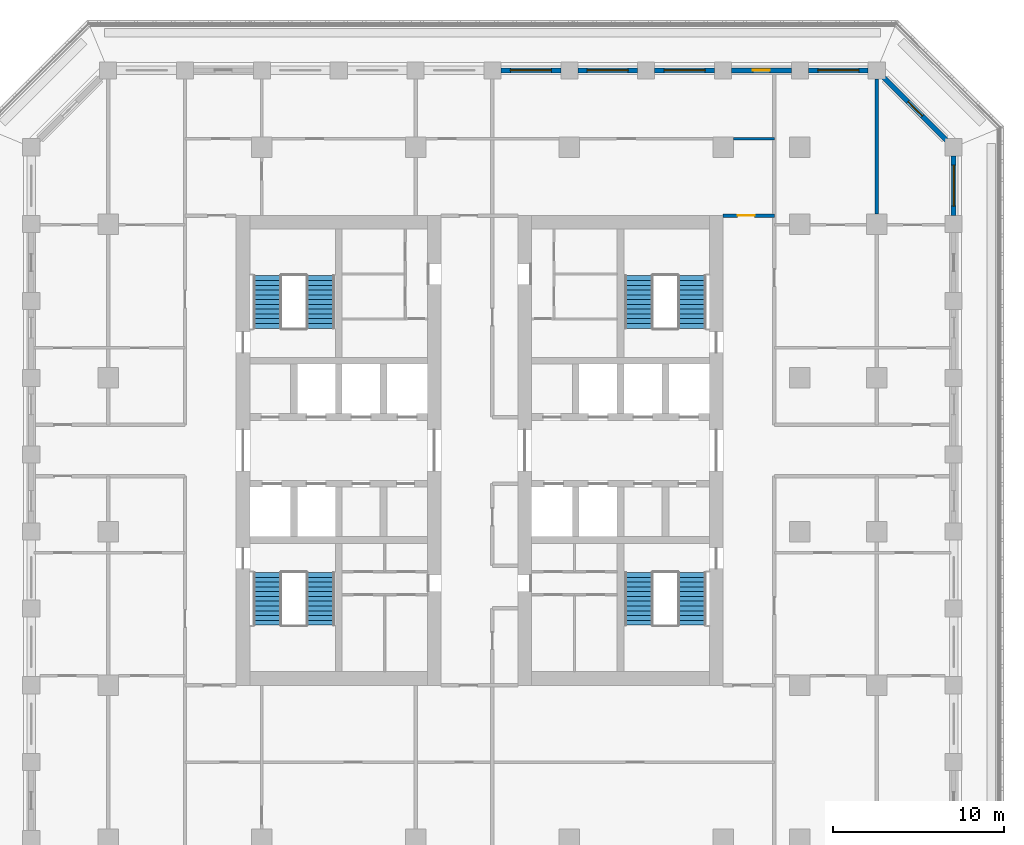
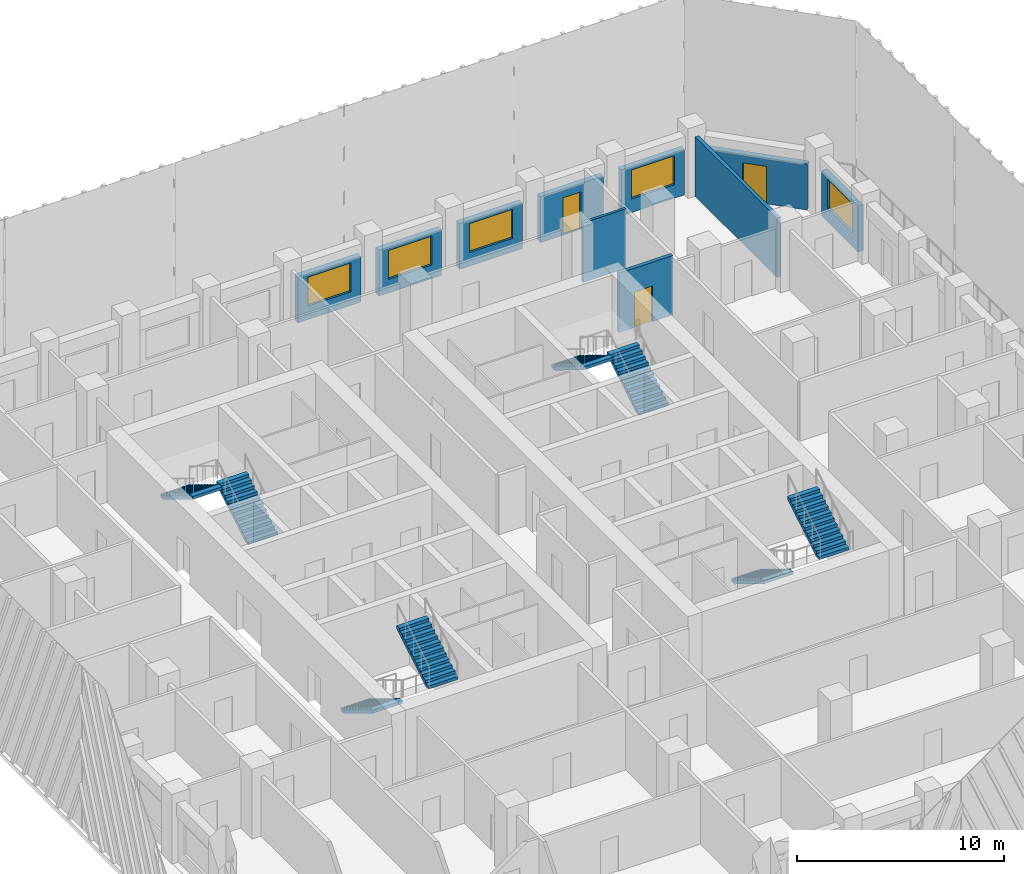
# One storey, part 9 of 17: 10 walls, 8 stair flights, 5 windows, 3 doors, 8 openings, 4 elements without a shape of their own.
"""IFC4 building model written with IfcOpenShell, lengths in metres."""

from ifc_helpers import new_model, si_unit, direction, frame, frame_2d, origin, place, context, subcontext, project, spatial, polyline, rectangle, outline, extrude, material, layer, layer_set, type_object, element, fill, aggregate, save


model = new_model("IFC4")

# Units and contexts
model_context = context("Model", 3, precision=1e-05, world=origin(), true_north=direction((0.0, 1.0)))
body_context = subcontext(model_context, "Body", "Model", "MODEL_VIEW")
ifc_project = project(units=[si_unit("LENGTHUNIT", "METRE"), si_unit("AREAUNIT", "SQUARE_METRE"), si_unit("VOLUMEUNIT", "CUBIC_METRE"), si_unit("PLANEANGLEUNIT", "RADIAN"), si_unit("MASSUNIT", "GRAM", prefix="KILO")], contexts=[model_context])

# Site, building, storey
site_placement = place(None, origin())
site = spatial("IfcSite", under=ifc_project, at=site_placement, CompositionType="ELEMENT")
building_placement = place(site_placement, origin())
building = spatial("IfcBuilding", under=site, at=building_placement, Name="Corbel Stack Research Tower", CompositionType="ELEMENT")
storey_placement = place(building_placement, frame((0.0, 0.0, 216.10009765625)))
storey = spatial("IfcBuildingStorey", under=building, at=storey_placement, Name="L49", CompositionType="ELEMENT", Elevation=216.10009765625)

# Wall
ifc_material_1 = material(Name="Fire-rated gypsum board partition on steel studs", Category="steel")
ifc_layer_1 = layer(ifc_material_1, 0.199951171875)
ifc_layer_set_1 = layer_set([ifc_layer_1], Name="Fire-rated gypsum board partition on steel studs")
wall_type_1 = type_object("IfcWallType", Name="Fire-rated partition 200 EI 60", PredefinedType="PARTITIONING", material=ifc_layer_set_1)
wall_1_placement = place(storey_placement, frame((27.0, 18.60009765625, 0.0), z_axis=(0.0, 0.0, 1.0), x_axis=(0.0, 1.0, 0.0)))
element("IfcWall", 1, at=wall_1_placement, inside=storey, type_object=wall_type_1, Name="Partition L49-029", PredefinedType="PARTITIONING", context=body_context, shape_type="SweptSolid", body=[
    extrude(rectangle(XDim=7.89990234375, YDim=0.199951171875, at=frame_2d((3.949951171875, 0.0))), origin(), (0.0, 0.0, 1.0), 3.5),
])

# Wall, opening, door
wall_2_placement = place(storey_placement, frame((18.0, 18.5, 0.0), z_axis=(0.0, 0.0, 1.0), x_axis=(1.0, 0.0, 0.0)))
wall_2 = element("IfcWall", 2, at=wall_2_placement, inside=storey, type_object=wall_type_1, Name="Partition L49-059", PredefinedType="PARTITIONING", context=body_context, shape_type="SweptSolid", body=[
    extrude(rectangle(XDim=3.0, YDim=0.199951171875, at=frame_2d((1.5, 0.0))), origin(), (0.0, 0.0, 1.0), 3.5),
])
opening_1_placement = place(wall_2_placement, frame((0.85009765625, 0.0, 0.0)))
opening_1 = element("IfcOpeningElement", 3, at=opening_1_placement, cuts=wall_2, Name="Opening B6V2-041", PredefinedType="OPENING", context=body_context, shape_type="SweptSolid", body=[
    extrude(rectangle(XDim=1.0, YDim=2.10009765625, at=frame_2d((0.5, 1.050048828125))), frame((0.0, 0.10986328125, 0.0), z_axis=(0.0, -1.0, 0.0), x_axis=(1.0, 0.0, 0.0)), (0.0, 0.0, 1.0), 0.219970703125),
])
ifc_material_2 = material(Name="Painted steel fire door", Category="steel")
door_type_1 = type_object("IfcDoorType", Name="Fire door FD30S 1000 x 2100", OperationType="NOTDEFINED", PredefinedType="DOOR", material=ifc_material_2)
door_1_placement = place(opening_1_placement, origin())
door_1 = element("IfcDoor", 4, at=door_1_placement, inside=storey, type_object=door_type_1, Name="Door B6V2-041", OperationType="SINGLE_SWING_LEFT", OverallHeight=2.10009765625, OverallWidth=1.0, PredefinedType="DOOR", context=body_context, shape_type="SweptSolid", body=[
    extrude(rectangle(XDim=1.0, YDim=2.10009765625, at=frame_2d((0.5, 1.050048828125))), frame((0.0, 0.02490234375, 0.0), z_axis=(0.0, -1.0, 0.0), x_axis=(1.0, 0.0, 0.0)), (0.0, 0.0, 1.0), 0.050048828125),
])
fill(opening_1, door_1)

# Wall
ifc_material_3 = material(Name="Gypsum board partition on steel studs", Category="steel")
ifc_layer_2 = layer(ifc_material_3, 0.14990234375)
ifc_layer_set_2 = layer_set([ifc_layer_2], Name="Gypsum board partition on steel studs")
wall_type_2 = type_object("IfcWallType", Name="Partition 150", PredefinedType="PARTITIONING", material=ifc_layer_set_2)
wall_3_placement = place(storey_placement, frame((18.60009765625, 23.0, 0.0), z_axis=(0.0, 0.0, 1.0), x_axis=(1.0, 0.0, 0.0)))
element("IfcWall", 5, at=wall_3_placement, inside=storey, type_object=wall_type_2, Name="Partition L49-064", PredefinedType="PARTITIONING", context=body_context, shape_type="SweptSolid", body=[
    extrude(rectangle(XDim=2.39990234375, YDim=0.14990234375, at=frame_2d((1.199951171875, 0.0))), origin(), (0.0, 0.0, 1.0), 3.5),
])

# Wall, opening, window
ifc_material_4 = material(Name="Concrete C45/55", Category="concrete")
ifc_layer_3 = layer(ifc_material_4, 0.300048828125)
ifc_layer_set_3 = layer_set([ifc_layer_3], Name="Concrete C45/55")
wall_type_3 = type_object("IfcWallType", Name="Terracotta-faced concrete wall 300", PredefinedType="SOLIDWALL", material=ifc_layer_set_3)
wall_4_placement = place(storey_placement, frame((31.5, 22.0, 0.0), z_axis=(0.0, 0.0, 1.0), x_axis=(0.0, -1.0, 0.0)))
wall_4 = element("IfcWall", 6, at=wall_4_placement, inside=storey, type_object=wall_type_3, Name="Facade wall L49 E10", PredefinedType="SOLIDWALL", context=body_context, shape_type="SweptSolid", body=[
    extrude(rectangle(XDim=3.5, YDim=0.300048828125, at=frame_2d((1.75, 0.0))), origin(), (0.0, 0.0, 1.0), 2.699951171875),
])
opening_2_placement = place(wall_4_placement, frame((0.550048828125, 0.0, 0.800048828125)))
opening_2 = element("IfcOpeningElement", 7, at=opening_2_placement, cuts=wall_4, Name="Opening W1", PredefinedType="OPENING", context=body_context, shape_type="SweptSolid", body=[
    extrude(rectangle(XDim=2.39990234375, YDim=1.699951171875, at=frame_2d((1.199951171875, 0.85009765625))), frame((0.0, 0.159912109375, 0.0), z_axis=(0.0, -1.0, 0.0), x_axis=(1.0, 0.0, 0.0)), (0.0, 0.0, 1.0), 0.320068359375),
])
ifc_material_5 = material(Name="Aluminium frame, clear double glazing", Category="aluminium")
window_type = type_object("IfcWindowType", Name="Window W1 2400 x 1700", PartitioningType="SINGLE_PANEL", PredefinedType="WINDOW", material=ifc_material_5)
window_1_placement = place(opening_2_placement, origin())
window_1 = element("IfcWindow", 8, at=window_1_placement, inside=storey, type_object=window_type, Name="Window W1 L49 E10", OverallHeight=1.699951171875, OverallWidth=2.39990234375, PartitioningType="SINGLE_PANEL", PredefinedType="WINDOW", context=body_context, shape_type="SweptSolid", body=[
    extrude(rectangle(XDim=2.39990234375, YDim=1.699951171875, at=frame_2d((1.199951171875, 0.85009765625))), frame((0.0, 0.030029296875, 0.0), z_axis=(0.0, -1.0, 0.0), x_axis=(1.0, 0.0, 0.0)), (0.0, 0.0, 1.0), 0.06005859375),
])
fill(opening_2, window_1)

# Wall, opening, door
wall_5_placement = place(storey_placement, frame((27.393798828125, 26.606201171875, 0.0), z_axis=(0.0, 0.0, 1.0), x_axis=(0.707106781187, -0.707106781187, 0.0)))
wall_5 = element("IfcWall", 9, at=wall_5_placement, inside=storey, type_object=wall_type_3, Name="Facade wall L49 NE01", PredefinedType="SOLIDWALL", context=body_context, shape_type="SweptSolid", body=[
    extrude(rectangle(XDim=5.250244140625, YDim=0.300048828125, at=frame_2d((2.625, 0.0))), origin(), (0.0, 0.0, 1.0), 2.699951171875),
])
opening_3_placement = place(wall_5_placement, frame((2.02490234375, 0.0, 0.0)))
opening_3 = element("IfcOpeningElement", 10, at=opening_3_placement, cuts=wall_5, Name="Opening L49-B06", PredefinedType="OPENING", context=body_context, shape_type="SweptSolid", body=[
    extrude(rectangle(XDim=1.199951171875, YDim=2.199951171875, at=frame_2d((0.60009765625, 1.10009765625))), frame((0.0, 0.159912109375, 0.0), z_axis=(0.0, -1.0, 0.0), x_axis=(1.0, 0.0, 0.0)), (0.0, 0.0, 1.0), 0.320068359375),
])
ifc_material_6 = material(Name="Aluminium frame, clear double glazing", Category="aluminium")
door_type_2 = type_object("IfcDoorType", Name="Balcony door BD2 1200 x 2200", OperationType="NOTDEFINED", PredefinedType="DOOR", material=ifc_material_6)
door_2_placement = place(opening_3_placement, origin())
door_2 = element("IfcDoor", 11, at=door_2_placement, inside=storey, type_object=door_type_2, Name="Balcony door L49-B06", OperationType="SINGLE_SWING_RIGHT", OverallHeight=2.199951171875, OverallWidth=1.199951171875, PredefinedType="DOOR", context=body_context, shape_type="SweptSolid", body=[
    extrude(rectangle(XDim=1.199951171875, YDim=2.199951171875, at=frame_2d((0.60009765625, 1.10009765625))), frame((0.0, 0.02490234375, 0.0), z_axis=(0.0, -1.0, 0.0), x_axis=(1.0, 0.0, 0.0)), (0.0, 0.0, 1.0), 0.050048828125),
])
fill(opening_3, door_2)

# Wall, opening, window
wall_6_placement = place(storey_placement, frame((23.0, 27.0, 0.0), z_axis=(0.0, 0.0, 1.0), x_axis=(1.0, 0.0, 0.0)))
wall_6 = element("IfcWall", 12, at=wall_6_placement, inside=storey, type_object=wall_type_3, Name="Facade wall L49 N01", PredefinedType="SOLIDWALL", context=body_context, shape_type="SweptSolid", body=[
    extrude(rectangle(XDim=3.5, YDim=0.300048828125, at=frame_2d((1.75, 0.0))), origin(), (0.0, 0.0, 1.0), 2.699951171875),
])
opening_4_placement = place(wall_6_placement, frame((0.550048828125, 0.0, 0.800048828125)))
opening_4 = element("IfcOpeningElement", 13, at=opening_4_placement, cuts=wall_6, Name="Opening W1", PredefinedType="OPENING", context=body_context, shape_type="SweptSolid", body=[
    extrude(rectangle(XDim=2.39990234375, YDim=1.699951171875, at=frame_2d((1.199951171875, 0.85009765625))), frame((0.0, 0.159912109375, 0.0), z_axis=(0.0, -1.0, 0.0), x_axis=(1.0, 0.0, 0.0)), (0.0, 0.0, 1.0), 0.320068359375),
])
window_2_placement = place(opening_4_placement, origin())
window_2 = element("IfcWindow", 14, at=window_2_placement, inside=storey, type_object=window_type, Name="Window W1 L49 N01", OverallHeight=1.699951171875, OverallWidth=2.39990234375, PartitioningType="SINGLE_PANEL", PredefinedType="WINDOW", context=body_context, shape_type="SweptSolid", body=[
    extrude(rectangle(XDim=2.39990234375, YDim=1.699951171875, at=frame_2d((1.199951171875, 0.85009765625))), frame((0.0, 0.030029296875, 0.0), z_axis=(0.0, -1.0, 0.0), x_axis=(1.0, 0.0, 0.0)), (0.0, 0.0, 1.0), 0.06005859375),
])
fill(opening_4, window_2)

# Wall, opening, door
wall_7_placement = place(storey_placement, frame((18.5, 27.0, 0.0), z_axis=(0.0, 0.0, 1.0), x_axis=(1.0, 0.0, 0.0)))
wall_7 = element("IfcWall", 15, at=wall_7_placement, inside=storey, type_object=wall_type_3, Name="Facade wall L49 N02", PredefinedType="SOLIDWALL", context=body_context, shape_type="SweptSolid", body=[
    extrude(rectangle(XDim=3.5, YDim=0.300048828125, at=frame_2d((1.75, 0.0))), origin(), (0.0, 0.0, 1.0), 2.699951171875),
])
opening_5_placement = place(wall_7_placement, frame((1.25, 0.0, 0.0)))
opening_5 = element("IfcOpeningElement", 16, at=opening_5_placement, cuts=wall_7, Name="Opening L49-B07", PredefinedType="OPENING", context=body_context, shape_type="SweptSolid", body=[
    extrude(rectangle(XDim=1.0, YDim=2.199951171875, at=frame_2d((0.5, 1.10009765625))), frame((0.0, 0.159912109375, 0.0), z_axis=(0.0, -1.0, 0.0), x_axis=(1.0, 0.0, 0.0)), (0.0, 0.0, 1.0), 0.320068359375),
])
ifc_material_7 = material(Name="Aluminium frame, clear double glazing", Category="aluminium")
door_type_3 = type_object("IfcDoorType", Name="Balcony door BD1 1000 x 2200", OperationType="NOTDEFINED", PredefinedType="DOOR", material=ifc_material_7)
door_3_placement = place(opening_5_placement, origin())
door_3 = element("IfcDoor", 17, at=door_3_placement, inside=storey, type_object=door_type_3, Name="Balcony door L49-B07", OperationType="SINGLE_SWING_LEFT", OverallHeight=2.199951171875, OverallWidth=1.0, PredefinedType="DOOR", context=body_context, shape_type="SweptSolid", body=[
    extrude(rectangle(XDim=1.0, YDim=2.199951171875, at=frame_2d((0.5, 1.10009765625))), frame((0.0, 0.02490234375, 0.0), z_axis=(0.0, -1.0, 0.0), x_axis=(1.0, 0.0, 0.0)), (0.0, 0.0, 1.0), 0.050048828125),
])
fill(opening_5, door_3)

# Wall, opening, window
wall_8_placement = place(storey_placement, frame((14.0, 27.0, 0.0), z_axis=(0.0, 0.0, 1.0), x_axis=(1.0, 0.0, 0.0)))
wall_8 = element("IfcWall", 18, at=wall_8_placement, inside=storey, type_object=wall_type_3, Name="Facade wall L49 N03", PredefinedType="SOLIDWALL", context=body_context, shape_type="SweptSolid", body=[
    extrude(rectangle(XDim=3.5, YDim=0.300048828125, at=frame_2d((1.75, 0.0))), origin(), (0.0, 0.0, 1.0), 2.699951171875),
])
opening_6_placement = place(wall_8_placement, frame((0.550048828125, 0.0, 0.800048828125)))
opening_6 = element("IfcOpeningElement", 19, at=opening_6_placement, cuts=wall_8, Name="Opening W1", PredefinedType="OPENING", context=body_context, shape_type="SweptSolid", body=[
    extrude(rectangle(XDim=2.39990234375, YDim=1.699951171875, at=frame_2d((1.199951171875, 0.85009765625))), frame((0.0, 0.159912109375, 0.0), z_axis=(0.0, -1.0, 0.0), x_axis=(1.0, 0.0, 0.0)), (0.0, 0.0, 1.0), 0.320068359375),
])
window_3_placement = place(opening_6_placement, origin())
window_3 = element("IfcWindow", 20, at=window_3_placement, inside=storey, type_object=window_type, Name="Window W1 L49 N03", OverallHeight=1.699951171875, OverallWidth=2.39990234375, PartitioningType="SINGLE_PANEL", PredefinedType="WINDOW", context=body_context, shape_type="SweptSolid", body=[
    extrude(rectangle(XDim=2.39990234375, YDim=1.699951171875, at=frame_2d((1.199951171875, 0.85009765625))), frame((0.0, 0.030029296875, 0.0), z_axis=(0.0, -1.0, 0.0), x_axis=(1.0, 0.0, 0.0)), (0.0, 0.0, 1.0), 0.06005859375),
])
fill(opening_6, window_3)

wall_9_placement = place(storey_placement, frame((9.5, 27.0, 0.0), z_axis=(0.0, 0.0, 1.0), x_axis=(1.0, 0.0, 0.0)))
wall_9 = element("IfcWall", 21, at=wall_9_placement, inside=storey, type_object=wall_type_3, Name="Facade wall L49 N04", PredefinedType="SOLIDWALL", context=body_context, shape_type="SweptSolid", body=[
    extrude(rectangle(XDim=3.5, YDim=0.300048828125, at=frame_2d((1.75, 0.0))), origin(), (0.0, 0.0, 1.0), 2.699951171875),
])
opening_7_placement = place(wall_9_placement, frame((0.550048828125, 0.0, 0.800048828125)))
opening_7 = element("IfcOpeningElement", 22, at=opening_7_placement, cuts=wall_9, Name="Opening W1", PredefinedType="OPENING", context=body_context, shape_type="SweptSolid", body=[
    extrude(rectangle(XDim=2.39990234375, YDim=1.699951171875, at=frame_2d((1.199951171875, 0.85009765625))), frame((0.0, 0.159912109375, 0.0), z_axis=(0.0, -1.0, 0.0), x_axis=(1.0, 0.0, 0.0)), (0.0, 0.0, 1.0), 0.320068359375),
])
window_4_placement = place(opening_7_placement, origin())
window_4 = element("IfcWindow", 23, at=window_4_placement, inside=storey, type_object=window_type, Name="Window W1 L49 N04", OverallHeight=1.699951171875, OverallWidth=2.39990234375, PartitioningType="SINGLE_PANEL", PredefinedType="WINDOW", context=body_context, shape_type="SweptSolid", body=[
    extrude(rectangle(XDim=2.39990234375, YDim=1.699951171875, at=frame_2d((1.199951171875, 0.85009765625))), frame((0.0, 0.030029296875, 0.0), z_axis=(0.0, -1.0, 0.0), x_axis=(1.0, 0.0, 0.0)), (0.0, 0.0, 1.0), 0.06005859375),
])
fill(opening_7, window_4)

wall_10_placement = place(storey_placement, frame((5.0, 27.0, 0.0), z_axis=(0.0, 0.0, 1.0), x_axis=(1.0, 0.0, 0.0)))
wall_10 = element("IfcWall", 24, at=wall_10_placement, inside=storey, type_object=wall_type_3, Name="Facade wall L49 N05", PredefinedType="SOLIDWALL", context=body_context, shape_type="SweptSolid", body=[
    extrude(rectangle(XDim=3.5, YDim=0.300048828125, at=frame_2d((1.75, 0.0))), origin(), (0.0, 0.0, 1.0), 2.699951171875),
])
opening_8_placement = place(wall_10_placement, frame((0.550048828125, 0.0, 0.800048828125)))
opening_8 = element("IfcOpeningElement", 25, at=opening_8_placement, cuts=wall_10, Name="Opening W1", PredefinedType="OPENING", context=body_context, shape_type="SweptSolid", body=[
    extrude(rectangle(XDim=2.39990234375, YDim=1.699951171875, at=frame_2d((1.199951171875, 0.85009765625))), frame((0.0, 0.159912109375, 0.0), z_axis=(0.0, -1.0, 0.0), x_axis=(1.0, 0.0, 0.0)), (0.0, 0.0, 1.0), 0.320068359375),
])
window_5_placement = place(opening_8_placement, origin())
window_5 = element("IfcWindow", 26, at=window_5_placement, inside=storey, type_object=window_type, Name="Window W1 L49 N05", OverallHeight=1.699951171875, OverallWidth=2.39990234375, PartitioningType="SINGLE_PANEL", PredefinedType="WINDOW", context=body_context, shape_type="SweptSolid", body=[
    extrude(rectangle(XDim=2.39990234375, YDim=1.699951171875, at=frame_2d((1.199951171875, 0.85009765625))), frame((0.0, 0.030029296875, 0.0), z_axis=(0.0, -1.0, 0.0), x_axis=(1.0, 0.0, 0.0)), (0.0, 0.0, 1.0), 0.06005859375),
])
fill(opening_8, window_5)

# Stair, stair flights
ifc_material_8 = material(Name="Concrete C40/50", Category="concrete")
stair_type = type_object("IfcStairType", Name="Exit stair 24 risers", PredefinedType="HALF_TURN_STAIR", material=ifc_material_8)
stair_1_placement = place(storey_placement, origin())
stair_1 = element("IfcStair", 27, at=stair_1_placement, inside=storey, type_object=stair_type, Name="L49 Exit stair ST-W1", PredefinedType="HALF_TURN_STAIR")
ifc_material_9 = material(Name="Concrete C40/50", Category="concrete")
stair_flight_type = type_object("IfcStairFlightType", Name="Stair flight 12 risers", PredefinedType="STRAIGHT", material=ifc_material_9)
stair_flight_1_placement = place(storey_placement, frame((-8.675048828125, -2.39990234375, 0.0), z_axis=(0.0, 0.0, 1.0), x_axis=(0.0, -1.0, 0.0)))
stair_flight_1 = element("IfcStairFlight", 28, at=stair_flight_1_placement, type_object=stair_flight_type, Name="ST-W1 flight 1", NumberOfRisers=12, NumberOfTreads=11, PredefinedType="STRAIGHT", RiserHeight=0.170833333, TreadLength=0.28, context=body_context, shape_type="SweptSolid", body=[
    extrude(outline(polyline([(0.0, 0.0), (0.0, 0.1708984375), (0.280029296875, 0.1708984375), (0.280029296875, 0.341552734375), (0.56005859375, 0.341552734375), (0.56005859375, 0.512451171875), (0.840087890625, 0.512451171875), (0.840087890625, 0.683349609375), (1.1201171875, 0.683349609375), (1.1201171875, 0.854248046875), (1.39990234375, 0.854248046875), (1.39990234375, 1.02490234375), (1.679931640625, 1.02490234375), (1.679931640625, 1.19580078125), (1.9599609375, 1.19580078125), (1.9599609375, 1.36669921875), (2.239990234375, 1.36669921875), (2.239990234375, 1.53759765625), (2.52001953125, 1.53759765625), (2.52001953125, 1.708251953125), (2.800048828125, 1.708251953125), (2.800048828125, 1.879150390625), (3.080078125, 1.879150390625), (3.080078125, 2.050048828125), (3.080078125, 1.70361328125), (0.287841796875, 0.0), (0.0, 0.0)])), frame((0.0, 0.824951171875, 0.0), z_axis=(0.0, -1.0, 0.0), x_axis=(1.0, 0.0, 0.0)), (0.0, 0.0, 1.0), 1.64990234375),
])
stair_flight_2_placement = place(storey_placement, frame((-5.574951171875, -5.47998046875, 2.0498046875), z_axis=(0.0, 0.0, 1.0), x_axis=(0.0, 1.0, 0.0)))
stair_flight_2 = element("IfcStairFlight", 29, at=stair_flight_2_placement, type_object=stair_flight_type, Name="ST-W1 flight 2", NumberOfRisers=12, NumberOfTreads=11, PredefinedType="STRAIGHT", RiserHeight=0.170833333, TreadLength=0.28, context=body_context, shape_type="SweptSolid", body=[
    extrude(outline(polyline([(0.0, 0.0), (0.0, 0.1708984375), (0.280029296875, 0.1708984375), (0.280029296875, 0.341552734375), (0.56005859375, 0.341552734375), (0.56005859375, 0.512451171875), (0.840087890625, 0.512451171875), (0.840087890625, 0.683349609375), (1.1201171875, 0.683349609375), (1.1201171875, 0.854248046875), (1.39990234375, 0.854248046875), (1.39990234375, 1.02490234375), (1.679931640625, 1.02490234375), (1.679931640625, 1.19580078125), (1.9599609375, 1.19580078125), (1.9599609375, 1.36669921875), (2.239990234375, 1.36669921875), (2.239990234375, 1.53759765625), (2.52001953125, 1.53759765625), (2.52001953125, 1.708251953125), (2.800048828125, 1.708251953125), (2.800048828125, 1.879150390625), (3.080078125, 1.879150390625), (3.080078125, 2.050048828125), (3.080078125, 1.70361328125), (0.287841796875, 0.0), (0.0, 0.0)])), frame((0.0, 0.824951171875, 0.0), z_axis=(0.0, -1.0, 0.0), x_axis=(1.0, 0.0, 0.0)), (0.0, 0.0, 1.0), 1.64990234375),
])
aggregate(stair_1, [stair_flight_1, stair_flight_2])

stair_2_placement = place(storey_placement, origin())
stair_2 = element("IfcStair", 30, at=stair_2_placement, inside=storey, type_object=stair_type, Name="L49 Exit stair ST-W2", PredefinedType="HALF_TURN_STAIR")
stair_flight_3_placement = place(storey_placement, frame((-5.574951171875, 11.89990234375, 0.0), z_axis=(0.0, 0.0, 1.0), x_axis=(0.0, 1.0, 0.0)))
stair_flight_3 = element("IfcStairFlight", 31, at=stair_flight_3_placement, type_object=stair_flight_type, Name="ST-W2 flight 1", NumberOfRisers=12, NumberOfTreads=11, PredefinedType="STRAIGHT", RiserHeight=0.170833333, TreadLength=0.28, context=body_context, shape_type="SweptSolid", body=[
    extrude(outline(polyline([(0.0, 0.0), (0.0, 0.1708984375), (0.280029296875, 0.1708984375), (0.280029296875, 0.341552734375), (0.56005859375, 0.341552734375), (0.56005859375, 0.512451171875), (0.840087890625, 0.512451171875), (0.840087890625, 0.683349609375), (1.1201171875, 0.683349609375), (1.1201171875, 0.854248046875), (1.39990234375, 0.854248046875), (1.39990234375, 1.02490234375), (1.679931640625, 1.02490234375), (1.679931640625, 1.19580078125), (1.9599609375, 1.19580078125), (1.9599609375, 1.36669921875), (2.239990234375, 1.36669921875), (2.239990234375, 1.53759765625), (2.52001953125, 1.53759765625), (2.52001953125, 1.708251953125), (2.800048828125, 1.708251953125), (2.800048828125, 1.879150390625), (3.080078125, 1.879150390625), (3.080078125, 2.050048828125), (3.080078125, 1.70361328125), (0.287841796875, 0.0), (0.0, 0.0)])), frame((0.0, 0.824951171875, 0.0), z_axis=(0.0, -1.0, 0.0), x_axis=(1.0, 0.0, 0.0)), (0.0, 0.0, 1.0), 1.64990234375),
])
stair_flight_4_placement = place(storey_placement, frame((-8.675048828125, 14.97998046875, 2.0498046875), z_axis=(0.0, 0.0, 1.0), x_axis=(0.0, -1.0, 0.0)))
stair_flight_4 = element("IfcStairFlight", 32, at=stair_flight_4_placement, type_object=stair_flight_type, Name="ST-W2 flight 2", NumberOfRisers=12, NumberOfTreads=11, PredefinedType="STRAIGHT", RiserHeight=0.170833333, TreadLength=0.28, context=body_context, shape_type="SweptSolid", body=[
    extrude(outline(polyline([(0.0, 0.0), (0.0, 0.1708984375), (0.280029296875, 0.1708984375), (0.280029296875, 0.341552734375), (0.56005859375, 0.341552734375), (0.56005859375, 0.512451171875), (0.840087890625, 0.512451171875), (0.840087890625, 0.683349609375), (1.1201171875, 0.683349609375), (1.1201171875, 0.854248046875), (1.39990234375, 0.854248046875), (1.39990234375, 1.02490234375), (1.679931640625, 1.02490234375), (1.679931640625, 1.19580078125), (1.9599609375, 1.19580078125), (1.9599609375, 1.36669921875), (2.239990234375, 1.36669921875), (2.239990234375, 1.53759765625), (2.52001953125, 1.53759765625), (2.52001953125, 1.708251953125), (2.800048828125, 1.708251953125), (2.800048828125, 1.879150390625), (3.080078125, 1.879150390625), (3.080078125, 2.050048828125), (3.080078125, 1.70361328125), (0.287841796875, 0.0), (0.0, 0.0)])), frame((0.0, 0.824951171875, 0.0), z_axis=(0.0, -1.0, 0.0), x_axis=(1.0, 0.0, 0.0)), (0.0, 0.0, 1.0), 1.64990234375),
])
aggregate(stair_2, [stair_flight_3, stair_flight_4])

stair_3_placement = place(storey_placement, origin())
stair_3 = element("IfcStair", 33, at=stair_3_placement, inside=storey, type_object=stair_type, Name="L49 Exit stair ST-E1", PredefinedType="HALF_TURN_STAIR")
stair_flight_5_placement = place(storey_placement, frame((13.074951171875, -2.39990234375, 0.0), z_axis=(0.0, 0.0, 1.0), x_axis=(0.0, -1.0, 0.0)))
stair_flight_5 = element("IfcStairFlight", 34, at=stair_flight_5_placement, type_object=stair_flight_type, Name="ST-E1 flight 1", NumberOfRisers=12, NumberOfTreads=11, PredefinedType="STRAIGHT", RiserHeight=0.170833333, TreadLength=0.28, context=body_context, shape_type="SweptSolid", body=[
    extrude(outline(polyline([(0.0, 0.0), (0.0, 0.1708984375), (0.280029296875, 0.1708984375), (0.280029296875, 0.341552734375), (0.56005859375, 0.341552734375), (0.56005859375, 0.512451171875), (0.840087890625, 0.512451171875), (0.840087890625, 0.683349609375), (1.1201171875, 0.683349609375), (1.1201171875, 0.854248046875), (1.39990234375, 0.854248046875), (1.39990234375, 1.02490234375), (1.679931640625, 1.02490234375), (1.679931640625, 1.19580078125), (1.9599609375, 1.19580078125), (1.9599609375, 1.36669921875), (2.239990234375, 1.36669921875), (2.239990234375, 1.53759765625), (2.52001953125, 1.53759765625), (2.52001953125, 1.708251953125), (2.800048828125, 1.708251953125), (2.800048828125, 1.879150390625), (3.080078125, 1.879150390625), (3.080078125, 2.050048828125), (3.080078125, 1.70361328125), (0.287841796875, 0.0), (0.0, 0.0)])), frame((0.0, 0.824951171875, 0.0), z_axis=(0.0, -1.0, 0.0), x_axis=(1.0, 0.0, 0.0)), (0.0, 0.0, 1.0), 1.64990234375),
])
stair_flight_6_placement = place(storey_placement, frame((16.175048828125, -5.47998046875, 2.0498046875), z_axis=(0.0, 0.0, 1.0), x_axis=(0.0, 1.0, 0.0)))
stair_flight_6 = element("IfcStairFlight", 35, at=stair_flight_6_placement, type_object=stair_flight_type, Name="ST-E1 flight 2", NumberOfRisers=12, NumberOfTreads=11, PredefinedType="STRAIGHT", RiserHeight=0.170833333, TreadLength=0.28, context=body_context, shape_type="SweptSolid", body=[
    extrude(outline(polyline([(0.0, 0.0), (0.0, 0.1708984375), (0.280029296875, 0.1708984375), (0.280029296875, 0.341552734375), (0.56005859375, 0.341552734375), (0.56005859375, 0.512451171875), (0.840087890625, 0.512451171875), (0.840087890625, 0.683349609375), (1.1201171875, 0.683349609375), (1.1201171875, 0.854248046875), (1.39990234375, 0.854248046875), (1.39990234375, 1.02490234375), (1.679931640625, 1.02490234375), (1.679931640625, 1.19580078125), (1.9599609375, 1.19580078125), (1.9599609375, 1.36669921875), (2.239990234375, 1.36669921875), (2.239990234375, 1.53759765625), (2.52001953125, 1.53759765625), (2.52001953125, 1.708251953125), (2.800048828125, 1.708251953125), (2.800048828125, 1.879150390625), (3.080078125, 1.879150390625), (3.080078125, 2.050048828125), (3.080078125, 1.70361328125), (0.287841796875, 0.0), (0.0, 0.0)])), frame((0.0, 0.824951171875, 0.0), z_axis=(0.0, -1.0, 0.0), x_axis=(1.0, 0.0, 0.0)), (0.0, 0.0, 1.0), 1.64990234375),
])
aggregate(stair_3, [stair_flight_5, stair_flight_6])

stair_4_placement = place(storey_placement, origin())
stair_4 = element("IfcStair", 36, at=stair_4_placement, inside=storey, type_object=stair_type, Name="L49 Exit stair ST-E2", PredefinedType="HALF_TURN_STAIR")
stair_flight_7_placement = place(storey_placement, frame((16.175048828125, 11.89990234375, 0.0), z_axis=(0.0, 0.0, 1.0), x_axis=(0.0, 1.0, 0.0)))
stair_flight_7 = element("IfcStairFlight", 37, at=stair_flight_7_placement, type_object=stair_flight_type, Name="ST-E2 flight 1", NumberOfRisers=12, NumberOfTreads=11, PredefinedType="STRAIGHT", RiserHeight=0.170833333, TreadLength=0.28, context=body_context, shape_type="SweptSolid", body=[
    extrude(outline(polyline([(0.0, 0.0), (0.0, 0.1708984375), (0.280029296875, 0.1708984375), (0.280029296875, 0.341552734375), (0.56005859375, 0.341552734375), (0.56005859375, 0.512451171875), (0.840087890625, 0.512451171875), (0.840087890625, 0.683349609375), (1.1201171875, 0.683349609375), (1.1201171875, 0.854248046875), (1.39990234375, 0.854248046875), (1.39990234375, 1.02490234375), (1.679931640625, 1.02490234375), (1.679931640625, 1.19580078125), (1.9599609375, 1.19580078125), (1.9599609375, 1.36669921875), (2.239990234375, 1.36669921875), (2.239990234375, 1.53759765625), (2.52001953125, 1.53759765625), (2.52001953125, 1.708251953125), (2.800048828125, 1.708251953125), (2.800048828125, 1.879150390625), (3.080078125, 1.879150390625), (3.080078125, 2.050048828125), (3.080078125, 1.70361328125), (0.287841796875, 0.0), (0.0, 0.0)])), frame((0.0, 0.824951171875, 0.0), z_axis=(0.0, -1.0, 0.0), x_axis=(1.0, 0.0, 0.0)), (0.0, 0.0, 1.0), 1.64990234375),
])
stair_flight_8_placement = place(storey_placement, frame((13.074951171875, 14.97998046875, 2.0498046875), z_axis=(0.0, 0.0, 1.0), x_axis=(0.0, -1.0, 0.0)))
stair_flight_8 = element("IfcStairFlight", 38, at=stair_flight_8_placement, type_object=stair_flight_type, Name="ST-E2 flight 2", NumberOfRisers=12, NumberOfTreads=11, PredefinedType="STRAIGHT", RiserHeight=0.170833333, TreadLength=0.28, context=body_context, shape_type="SweptSolid", body=[
    extrude(outline(polyline([(0.0, 0.0), (0.0, 0.1708984375), (0.280029296875, 0.1708984375), (0.280029296875, 0.341552734375), (0.56005859375, 0.341552734375), (0.56005859375, 0.512451171875), (0.840087890625, 0.512451171875), (0.840087890625, 0.683349609375), (1.1201171875, 0.683349609375), (1.1201171875, 0.854248046875), (1.39990234375, 0.854248046875), (1.39990234375, 1.02490234375), (1.679931640625, 1.02490234375), (1.679931640625, 1.19580078125), (1.9599609375, 1.19580078125), (1.9599609375, 1.36669921875), (2.239990234375, 1.36669921875), (2.239990234375, 1.53759765625), (2.52001953125, 1.53759765625), (2.52001953125, 1.708251953125), (2.800048828125, 1.708251953125), (2.800048828125, 1.879150390625), (3.080078125, 1.879150390625), (3.080078125, 2.050048828125), (3.080078125, 1.70361328125), (0.287841796875, 0.0), (0.0, 0.0)])), frame((0.0, 0.824951171875, 0.0), z_axis=(0.0, -1.0, 0.0), x_axis=(1.0, 0.0, 0.0)), (0.0, 0.0, 1.0), 1.64990234375),
])
aggregate(stair_4, [stair_flight_7, stair_flight_8])

save(model, "model.ifc")
